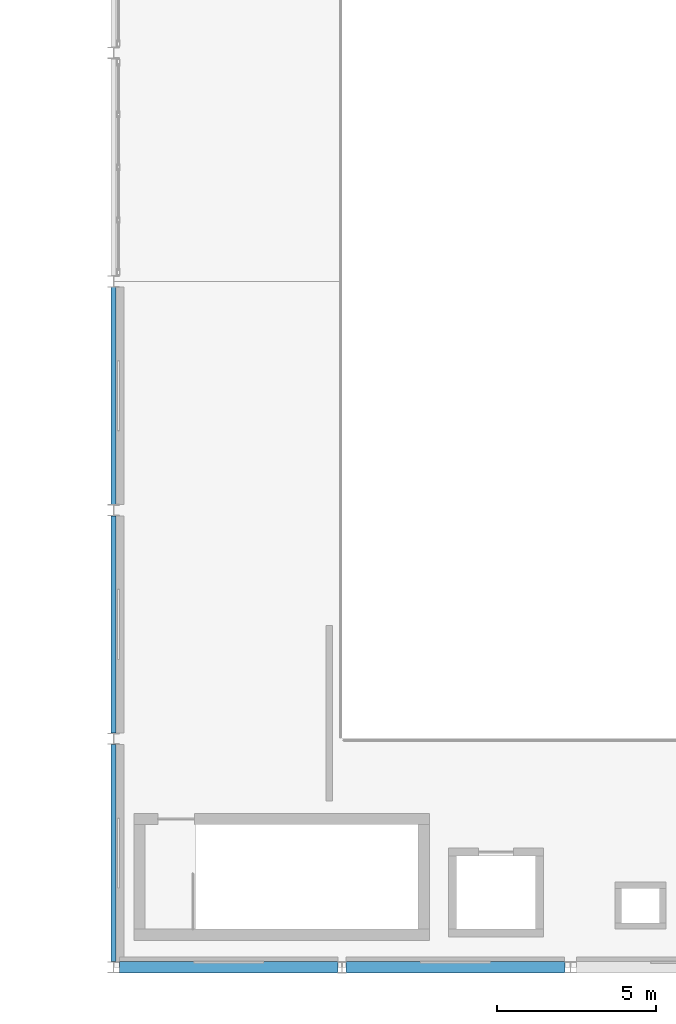
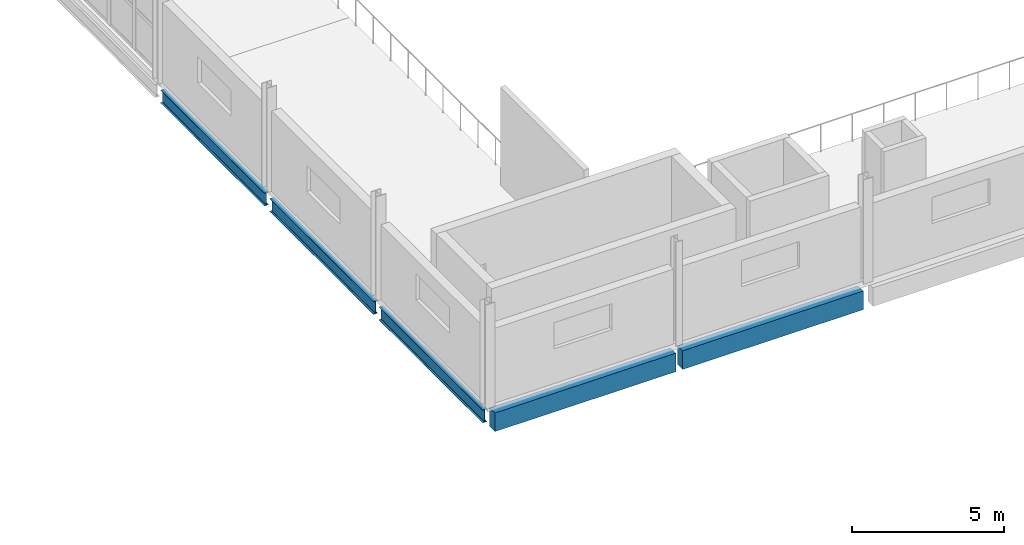
# One storey, part 32 of 94: 5 beams.
"""IFC4 building model written with IfcOpenShell, lengths in metres."""

from ifc_helpers import new_model, si_unit, direction, frame, origin, origin_2d, place, context, subcontext, project, spatial, rectangle, i_section, extrude, material, material_profile, profile_set, type_object, element, save


model = new_model("IFC4")

# Units and contexts
model_context = context("Model", 3, precision=1e-05, world=origin(), true_north=direction((0.0, 1.0)))
body_context = subcontext(model_context, "Body", "Model", "MODEL_VIEW")
ifc_project = project(units=[si_unit("LENGTHUNIT", "METRE"), si_unit("AREAUNIT", "SQUARE_METRE"), si_unit("VOLUMEUNIT", "CUBIC_METRE"), si_unit("PLANEANGLEUNIT", "RADIAN"), si_unit("MASSUNIT", "GRAM", prefix="KILO")], contexts=[model_context])

# Site, building, storey
site_placement = place(None, origin())
site = spatial("IfcSite", under=ifc_project, at=site_placement, CompositionType="ELEMENT")
building_placement = place(site_placement, origin())
building = spatial("IfcBuilding", under=site, at=building_placement, Name="Kalmorath City Hall", CompositionType="ELEMENT")
storey_placement = place(building_placement, frame((0.0, 0.0, 14.699951171875)))
storey = spatial("IfcBuildingStorey", under=building, at=storey_placement, Name="L03", CompositionType="ELEMENT", Elevation=14.699951171875)

# Beams
ifc_material_1 = material(Name="Precast concrete C40/50", Category="concrete")
ifc_material_profile_1 = material_profile(ifc_material_1, rectangle(XDim=0.35009765625, YDim=0.75, at=origin_2d()), Name="PC-SP-350X750")
ifc_profile_set_1 = profile_set([ifc_material_profile_1], Name="Precast concrete C40/50")
beam_type_1 = type_object("IfcBeamType", Name="Precast spandrel lintel 350x750", PredefinedType="LINTEL", material=ifc_profile_set_1)
for number, where, z_axis, x_axis, name in (
    (1, (115.384521484375, 0.0, -0.638916015625), (1.0, 0.0, 0.0), (0.0, 1.0, 0.0), "L03 girder PSB1 X17-18/1"),
    (2, (122.528076171875, 0.0, -0.638916015625), (1.0, 0.0, 0.0), (0.0, 1.0, 0.0), "L03 girder PSB1 X18-19/1"),
):
    element("IfcBeam", number, at=place(storey_placement, frame(where, z_axis=z_axis, x_axis=x_axis)), inside=storey, type_object=beam_type_1, Name=name, PredefinedType="LINTEL", context=body_context, shape_type="SweptSolid", body=[
        extrude(rectangle(XDim=0.35009765625, YDim=0.75, at=origin_2d()), origin(), (0.0, 0.0, 1.0), 6.887451171875),
    ])
ifc_material_2 = material(Name="Steel ASTM A992 Grade 50", Category="steel")
ifc_material_profile_2 = material_profile(ifc_material_2, i_section(OverallWidth=0.1650390625, OverallDepth=0.52490234375, WebThickness=0.0087890625, FlangeThickness=0.011474609375, FilletRadius=0.014892578125, at=origin_2d()), Name="W21X44")
ifc_profile_set_2 = profile_set([ifc_material_profile_2], Name="Steel ASTM A992 Grade 50")
beam_type_2 = type_object("IfcBeamType", Name="Steel spandrel beam W21X44", PredefinedType="SPANDREL", material=ifc_profile_set_2)
for number, where, z_axis, x_axis, name in (
    (3, (115.199951171875, 0.177978515625, -0.5263671875), (0.0, 1.0, 0.0), (-1.0, 0.0, 0.0), "L03 girder SB4 Y17/1-2"),
    (4, (115.199951171875, 7.3779296875, -0.5263671875), (0.0, 1.0, 0.0), (-1.0, 0.0, 0.0), "L03 girder SB4 Y17/2-3"),
):
    element("IfcBeam", number, at=place(storey_placement, frame(where, z_axis=z_axis, x_axis=x_axis)), inside=storey, type_object=beam_type_2, Name=name, PredefinedType="SPANDREL", context=body_context, shape_type="SweptSolid", body=[
        extrude(i_section(OverallWidth=0.1650390625, OverallDepth=0.52490234375, WebThickness=0.0087890625, FlangeThickness=0.011474609375, FilletRadius=0.014892578125, at=origin_2d()), origin(), (0.0, 0.0, 1.0), 6.843994140625),
    ])
beam_placement = place(storey_placement, frame((115.199951171875, 14.577880859375, -0.5263671875), z_axis=(0.0, 1.0, 0.0), x_axis=(-1.0, 0.0, 0.0)))
element("IfcBeam", 5, at=beam_placement, inside=storey, type_object=beam_type_2, Name="L03 girder SB4 Y17/3-4", PredefinedType="SPANDREL", context=body_context, shape_type="SweptSolid", body=[
    extrude(i_section(OverallWidth=0.1650390625, OverallDepth=0.52490234375, WebThickness=0.0087890625, FlangeThickness=0.011474609375, FilletRadius=0.014892578125, at=origin_2d()), origin(), (0.0, 0.0, 1.0), 6.84423828125),
])

save(model, "model.ifc")
